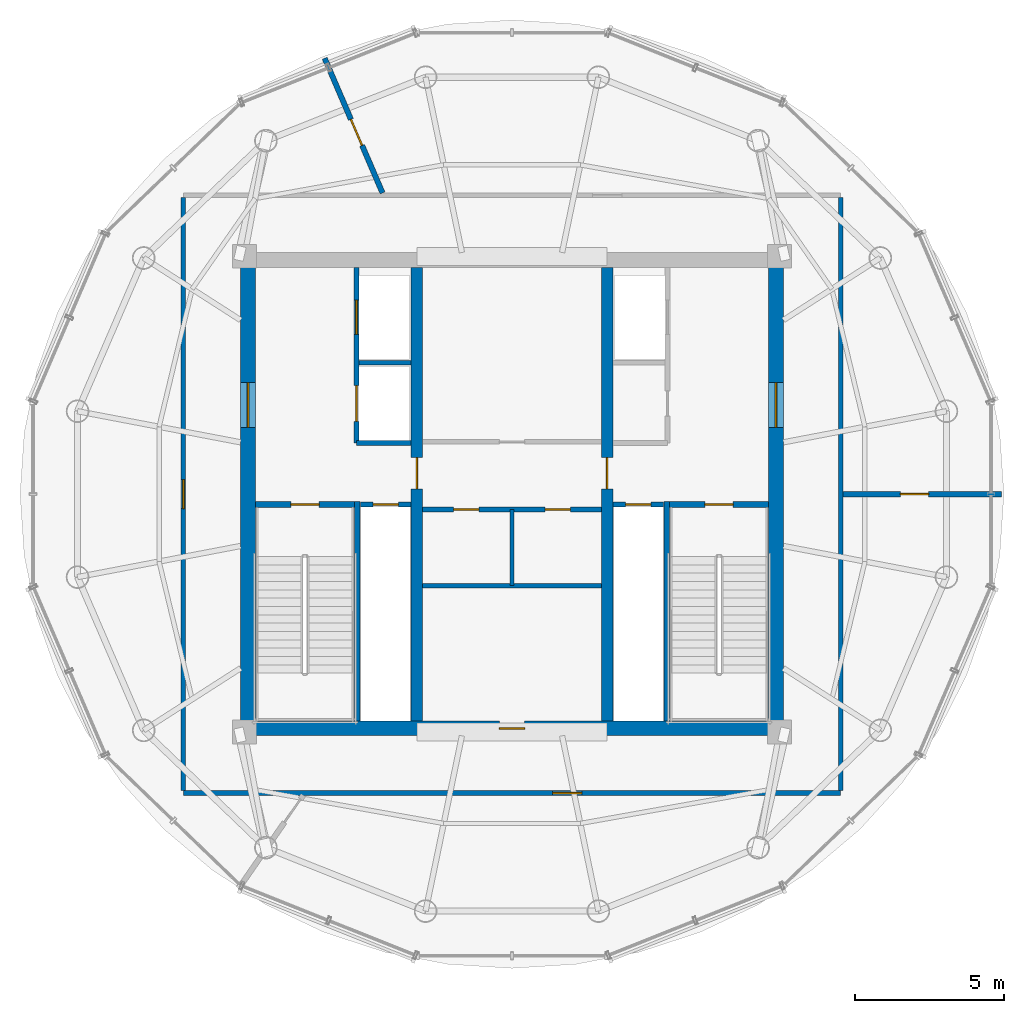
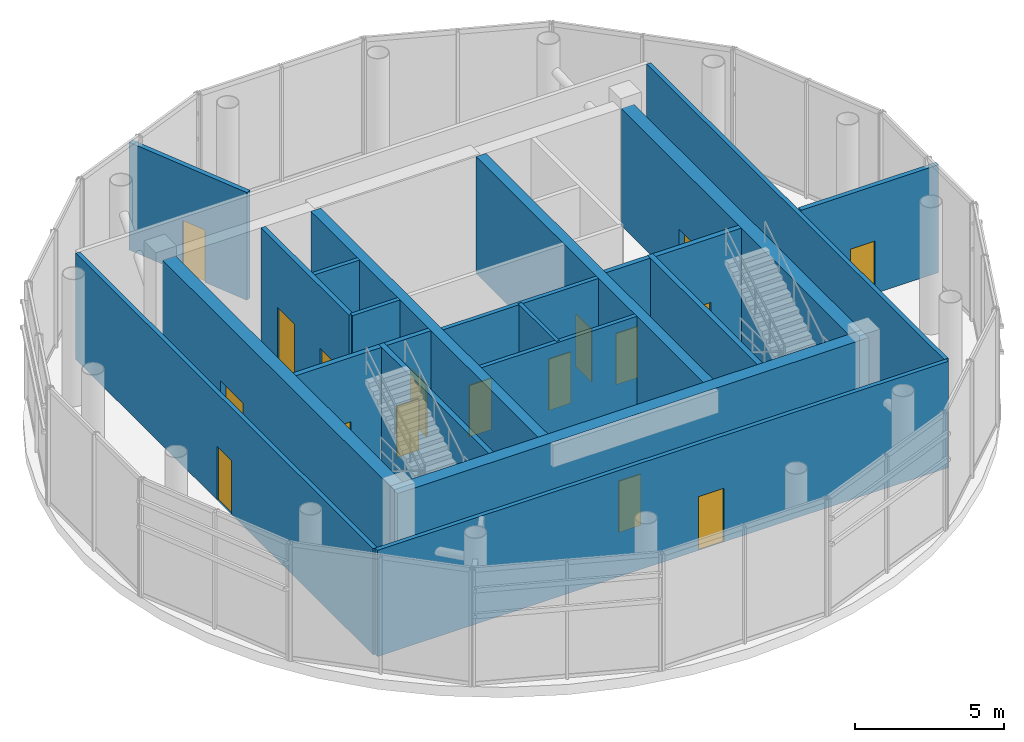
# One storey, part 11 of 14: 22 walls, 17 doors, 17 openings.
"""IFC4 building model written with IfcOpenShell, lengths in metres."""

from ifc_helpers import new_model, si_unit, direction, frame, frame_2d, origin, place, context, subcontext, project, spatial, rectangle, extrude, source, transform, mapped, material, layer, layer_set, type_object, element, fill, save


model = new_model("IFC4")

# Units and contexts
model_context = context("Model", 3, precision=1e-05, world=origin(), true_north=direction((-0.2419218956, 0.970295726276)))
body_context = subcontext(model_context, "Body", "Model", "MODEL_VIEW")
ifc_project = project(units=[si_unit("LENGTHUNIT", "METRE"), si_unit("AREAUNIT", "SQUARE_METRE"), si_unit("VOLUMEUNIT", "CUBIC_METRE"), si_unit("PLANEANGLEUNIT", "RADIAN"), si_unit("MASSUNIT", "GRAM", prefix="KILO")], contexts=[model_context])

# Site, building, storey
site_placement = place(None, origin())
site = spatial("IfcSite", under=ifc_project, at=site_placement, CompositionType="ELEMENT")
building_placement = place(site_placement, origin())
building = spatial("IfcBuilding", under=site, at=building_placement, Name="Cobrevalo Terracotta Tower", CompositionType="ELEMENT")
storey_placement = place(building_placement, frame((0.0, 0.0, 326.89990234375)))
storey = spatial("IfcBuildingStorey", under=building, at=storey_placement, Name="L84", CompositionType="ELEMENT", Elevation=326.89990234375)

# Wall, opening, door
ifc_material_1 = material(Name="Concrete C50", Category="concrete")
ifc_layer_1 = layer(ifc_material_1, 0.5)
ifc_layer_set_1 = layer_set([ifc_layer_1], Name="Concrete C50")
wall_type_1 = type_object("IfcWallType", Name="Crown core shear wall 500 mm Concrete C50", PredefinedType="SHEAR", material=ifc_layer_set_1)
wall_1_placement = place(storey_placement, frame((28.875, 18.925048828125, 0.0), z_axis=(0.0, 0.0, 1.0), x_axis=(1.0, 0.0, 0.0)))
wall_1 = element("IfcWall", 1, at=wall_1_placement, inside=storey, type_object=wall_type_1, Name="L84 south core shear wall", PredefinedType="SHEAR", context=body_context, shape_type="SweptSolid", body=[
    extrude(rectangle(XDim=18.25, YDim=0.5, at=frame_2d((9.125, 0.0))), origin(), (0.0, 0.0, 1.0), 4.780029296875),
])
opening_1_placement = place(wall_1_placement, frame((8.699951171875, 0.0, 0.0)))
opening_1 = element("IfcOpeningElement", 2, at=opening_1_placement, cuts=wall_1, Name="Opening ID-22", PredefinedType="OPENING", context=body_context, shape_type="SweptSolid", body=[
    extrude(rectangle(XDim=0.85009765625, YDim=2.10009765625, at=frame_2d((0.425048828125, 1.050048828125))), frame((0.0, 0.260009765625, 0.0), z_axis=(0.0, -1.0, 0.0), x_axis=(1.0, 0.0, 0.0)), (0.0, 0.0, 1.0), 0.52001953125),
])
ifc_material_2 = material(Name="Powder-coated steel", Category="steel")
door_type_1 = type_object("IfcDoorType", Name="Riser shaft & meter closet fire access door 850x2100 EI 60", OperationType="NOTDEFINED", PredefinedType="DOOR", material=ifc_material_2)
shared_shape_1 = source(origin(), body_context, "Body", "SweptSolid", [
    extrude(rectangle(XDim=0.85009765625, YDim=2.10009765625, at=frame_2d((0.425048828125, 1.050048828125))), frame((0.0, 0.02490234375, 0.0), z_axis=(0.0, -1.0, 0.0), x_axis=(1.0, 0.0, 0.0)), (0.0, 0.0, 1.0), 0.050048828125),
])
door_1_placement = place(opening_1_placement, origin())
door_1 = element("IfcDoor", 3, at=door_1_placement, inside=storey, type_object=door_type_1, Name="L84 core south plant door Crown Smoke Extract Fan Plant", OperationType="SINGLE_SWING_RIGHT", OverallHeight=2.10009765625, OverallWidth=0.85009765625, PredefinedType="DOOR", context=body_context, shape_type="MappedRepresentation", body=[
    mapped(shared_shape_1, transform((0.0, 0.0, 0.0), scale=1.0)),
])
fill(opening_1, door_1)

wall_2_placement = place(storey_placement, frame((29.125, 19.175048828125, 0.0), z_axis=(0.0, 0.0, 1.0), x_axis=(0.0, 1.0, 0.0)))
wall_2 = element("IfcWall", 4, at=wall_2_placement, inside=storey, type_object=wall_type_1, Name="L84 west core shear wall", PredefinedType="SHEAR", context=body_context, shape_type="SweptSolid", body=[
    extrude(rectangle(XDim=15.25, YDim=0.5, at=frame_2d((7.625, 0.0))), origin(), (0.0, 0.0, 1.0), 4.780029296875),
])
opening_2_placement = place(wall_2_placement, frame((9.875, 0.0, 0.0)))
opening_2 = element("IfcOpeningElement", 5, at=opening_2_placement, cuts=wall_2, Name="Opening ID-14", PredefinedType="OPENING", context=body_context, shape_type="SweptSolid", body=[
    extrude(rectangle(XDim=1.5, YDim=2.199951171875, at=frame_2d((0.75, 1.10009765625))), frame((0.0, 0.260009765625, 0.0), z_axis=(0.0, -1.0, 0.0), x_axis=(1.0, 0.0, 0.0)), (0.0, 0.0, 1.0), 0.52001953125),
])
ifc_material_3 = material(Name="Galvanized fire-rated steel", Category="steel")
door_type_2 = type_object("IfcDoorType", Name="Core cross-lobby double fire door 1500x2200 EI 90", OperationType="NOTDEFINED", PredefinedType="DOOR", material=ifc_material_3)
shared_shape_2 = source(origin(), body_context, "Body", "SweptSolid", [
    extrude(rectangle(XDim=1.5, YDim=2.199951171875, at=frame_2d((0.75, 1.10009765625))), frame((0.0, 0.02490234375, 0.0), z_axis=(0.0, -1.0, 0.0), x_axis=(1.0, 0.0, 0.0)), (0.0, 0.0, 1.0), 0.050048828125),
])
door_2_placement = place(opening_2_placement, origin())
door_2 = element("IfcDoor", 6, at=door_2_placement, inside=storey, type_object=door_type_2, Name="L84 west firefighting lobby entrance door", OperationType="DOUBLE_DOOR_SINGLE_SWING", OverallHeight=2.199951171875, OverallWidth=1.5, PredefinedType="DOOR", context=body_context, shape_type="MappedRepresentation", body=[
    mapped(shared_shape_2, transform((0.0, 0.0, 0.0), scale=1.0)),
])
fill(opening_2, door_2)

wall_3_placement = place(storey_placement, frame((46.875, 19.175048828125, 0.0), z_axis=(0.0, 0.0, 1.0), x_axis=(0.0, 1.0, 0.0)))
wall_3 = element("IfcWall", 7, at=wall_3_placement, inside=storey, type_object=wall_type_1, Name="L84 east core shear wall", PredefinedType="SHEAR", context=body_context, shape_type="SweptSolid", body=[
    extrude(rectangle(XDim=15.25, YDim=0.5, at=frame_2d((7.625, 0.0))), origin(), (0.0, 0.0, 1.0), 4.780029296875),
])
opening_3_placement = place(wall_3_placement, frame((9.875, 0.0, 0.0)))
opening_3 = element("IfcOpeningElement", 8, at=opening_3_placement, cuts=wall_3, Name="Opening ID-14", PredefinedType="OPENING", context=body_context, shape_type="SweptSolid", body=[
    extrude(rectangle(XDim=1.5, YDim=2.199951171875, at=frame_2d((0.75, 1.10009765625))), frame((0.0, 0.260009765625, 0.0), z_axis=(0.0, -1.0, 0.0), x_axis=(1.0, 0.0, 0.0)), (0.0, 0.0, 1.0), 0.52001953125),
])
door_3_placement = place(opening_3_placement, frame((1.5, 0.0, 0.0), z_axis=(0.0, 0.0, 1.0), x_axis=(-1.0, 0.0, 0.0)))
door_3 = element("IfcDoor", 9, at=door_3_placement, inside=storey, type_object=door_type_2, Name="L84 east firefighting lobby entrance door", OperationType="DOUBLE_DOOR_SINGLE_SWING", OverallHeight=2.199951171875, OverallWidth=1.5, PredefinedType="DOOR", context=body_context, shape_type="MappedRepresentation", body=[
    mapped(shared_shape_2, transform((0.0, 0.0, 0.0), scale=1.0)),
])
fill(opening_3, door_3)

# Walls
ifc_material_4 = material(Name="Gypsum board on steel stud", Category="steel")
ifc_layer_2 = layer(ifc_material_4, 0.159912109375)
ifc_layer_set_2 = layer_set([ifc_layer_2], Name="Gypsum board on steel stud")
wall_type_2 = type_object("IfcWallType", Name="Fire-rated corridor acoustic partition wall 160 mm", PredefinedType="PARTITIONING", material=ifc_layer_set_2)
wall_4_placement = place(storey_placement, frame((32.860107421875, 31.219970703125, 0.0), z_axis=(0.0, 0.0, 1.0), x_axis=(1.0, 0.0, 0.0)))
element("IfcWall", 10, at=wall_4_placement, inside=storey, type_object=wall_type_2, Name="L84 interior partition IW-L84-FF1-M", PredefinedType="PARTITIONING", context=body_context, shape_type="SweptSolid", body=[
    extrude(rectangle(XDim=1.75, YDim=0.159912109375, at=frame_2d((0.875, 0.0))), origin(), (0.0, 0.0, 1.0), 4.780029296875),
])
wall_5_placement = place(storey_placement, frame((32.77001953125, 28.52001953125, 0.0), z_axis=(0.0, 0.0, 1.0), x_axis=(1.0, 0.0, 0.0)))
element("IfcWall", 11, at=wall_5_placement, inside=storey, type_object=wall_type_2, Name="L84 interior partition IW-L84-FF1-S", PredefinedType="PARTITIONING", context=body_context, shape_type="SweptSolid", body=[
    extrude(rectangle(XDim=1.840087890625, YDim=0.159912109375, at=frame_2d((0.919921875, 0.0))), origin(), (0.0, 0.0, 1.0), 4.780029296875),
])

# Wall, openings, doors
wall_6_placement = place(storey_placement, frame((34.989990234375, 26.280029296875, 0.0), z_axis=(0.0, 0.0, 1.0), x_axis=(1.0, 0.0, 0.0)))
wall_6 = element("IfcWall", 12, at=wall_6_placement, inside=storey, type_object=wall_type_2, Name="L84 interior partition IW-L84-MB-N", PredefinedType="PARTITIONING", context=body_context, shape_type="SweptSolid", body=[
    extrude(rectangle(XDim=6.02001953125, YDim=0.159912109375, at=frame_2d((3.010009765625, 0.0))), origin(), (0.0, 0.0, 1.0), 4.780029296875),
])
opening_4_placement = place(wall_6_placement, frame((1.044921875, 0.0, 0.0)))
opening_4 = element("IfcOpeningElement", 13, at=opening_4_placement, cuts=wall_6, Name="Opening ID-22", PredefinedType="OPENING", context=body_context, shape_type="SweptSolid", body=[
    extrude(rectangle(XDim=0.85009765625, YDim=2.10009765625, at=frame_2d((0.425048828125, 1.050048828125))), frame((0.0, 0.08984375, 0.0), z_axis=(0.0, -1.0, 0.0), x_axis=(1.0, 0.0, 0.0)), (0.0, 0.0, 1.0), 0.179931640625),
])
opening_5_placement = place(wall_6_placement, frame((4.125, 0.0, 0.0)))
opening_5 = element("IfcOpeningElement", 14, at=opening_5_placement, cuts=wall_6, Name="Opening ID-22", PredefinedType="OPENING", context=body_context, shape_type="SweptSolid", body=[
    extrude(rectangle(XDim=0.85009765625, YDim=2.10009765625, at=frame_2d((0.425048828125, 1.050048828125))), frame((0.0, 0.08984375, 0.0), z_axis=(0.0, -1.0, 0.0), x_axis=(1.0, 0.0, 0.0)), (0.0, 0.0, 1.0), 0.179931640625),
])
door_4_placement = place(opening_4_placement, frame((0.85009765625, 0.0, 0.0), z_axis=(0.0, 0.0, 1.0), x_axis=(-1.0, 0.0, 0.0)))
door_4 = element("IfcDoor", 15, at=door_4_placement, inside=storey, type_object=door_type_1, Name="L84 core room door Crown Chilled Water Pump Plant", OperationType="SINGLE_SWING_RIGHT", OverallHeight=2.10009765625, OverallWidth=0.85009765625, PredefinedType="DOOR", context=body_context, shape_type="MappedRepresentation", body=[
    mapped(shared_shape_1, transform((0.0, 0.0, 0.0), scale=1.0)),
])
fill(opening_4, door_4)
door_5_placement = place(opening_5_placement, frame((0.85009765625, 0.0, 0.0), z_axis=(0.0, 0.0, 1.0), x_axis=(-1.0, 0.0, 0.0)))
door_5 = element("IfcDoor", 16, at=door_5_placement, inside=storey, type_object=door_type_1, Name="L84 core room door Crown Lift Motor Mechanical Plant", OperationType="SINGLE_SWING_RIGHT", OverallHeight=2.10009765625, OverallWidth=0.85009765625, PredefinedType="DOOR", context=body_context, shape_type="MappedRepresentation", body=[
    mapped(shared_shape_1, transform((0.0, 0.0, 0.0), scale=1.0)),
])
fill(opening_5, door_5)

# Wall
wall_7_placement = place(storey_placement, frame((34.989990234375, 23.719970703125, 0.0), z_axis=(0.0, 0.0, 1.0), x_axis=(1.0, 0.0, 0.0)))
element("IfcWall", 17, at=wall_7_placement, inside=storey, type_object=wall_type_2, Name="L84 interior partition IW-L84-MB-S", PredefinedType="PARTITIONING", context=body_context, shape_type="SweptSolid", body=[
    extrude(rectangle(XDim=6.02001953125, YDim=0.159912109375, at=frame_2d((3.010009765625, 0.0))), origin(), (0.0, 0.0, 1.0), 4.780029296875),
])

# Wall, opening, door
wall_8_placement = place(storey_placement, frame((26.945068359375, 16.7451171875, 0.0), z_axis=(0.0, 0.0, 1.0), x_axis=(1.0, 0.0, 0.0)))
wall_8 = element("IfcWall", 18, at=wall_8_placement, inside=storey, type_object=wall_type_2, Name="L84 interior partition IW-L84-COR-S", PredefinedType="PARTITIONING", context=body_context, shape_type="SweptSolid", body=[
    extrude(rectangle(XDim=22.10986328125, YDim=0.159912109375, at=frame_2d((11.054931640625, 0.0))), origin(), (0.0, 0.0, 1.0), 4.35205078125),
])
opening_6_placement = place(wall_8_placement, frame((12.42431640625, 0.0, 0.0)))
opening_6 = element("IfcOpeningElement", 19, at=opening_6_placement, cuts=wall_8, Name="Opening ID-05", PredefinedType="OPENING", context=body_context, shape_type="SweptSolid", body=[
    extrude(rectangle(XDim=0.97998046875, YDim=2.199951171875, at=frame_2d((0.489990234375, 1.10009765625))), frame((0.0, 0.08984375, 0.0), z_axis=(0.0, -1.0, 0.0), x_axis=(1.0, 0.0, 0.0)), (0.0, 0.0, 1.0), 0.179931640625),
])
ifc_material_5 = material(Name="Solid hardwood timber", Category="wood")
door_type_3 = type_object("IfcDoorType", Name="Residence entrance fire-rated acoustic timber door 980x2200 EI 60", OperationType="NOTDEFINED", PredefinedType="DOOR", material=ifc_material_5)
shared_shape_3 = source(origin(), body_context, "Body", "SweptSolid", [
    extrude(rectangle(XDim=0.97998046875, YDim=2.199951171875, at=frame_2d((0.489990234375, 1.10009765625))), frame((0.0, 0.02490234375, 0.0), z_axis=(0.0, -1.0, 0.0), x_axis=(1.0, 0.0, 0.0)), (0.0, 0.0, 1.0), 0.050048828125),
])
door_6_placement = place(opening_6_placement, origin())
door_6 = element("IfcDoor", 20, at=door_6_placement, inside=storey, type_object=door_type_3, Name="L84 Crown Lift Overrun Plant door", OperationType="SINGLE_SWING_LEFT", OverallHeight=2.199951171875, OverallWidth=0.97998046875, PredefinedType="DOOR", context=body_context, shape_type="MappedRepresentation", body=[
    mapped(shared_shape_3, transform((0.0, 0.0, 0.0), scale=1.0)),
])
fill(opening_6, door_6)

wall_9_placement = place(storey_placement, frame((26.945068359375, 16.824951171875, 0.0), z_axis=(0.0, 0.0, 1.0), x_axis=(0.0, 1.0, 0.0)))
wall_9 = element("IfcWall", 21, at=wall_9_placement, inside=storey, type_object=wall_type_2, Name="L84 interior partition IW-L84-COR-W", PredefinedType="PARTITIONING", context=body_context, shape_type="SweptSolid", body=[
    extrude(rectangle(XDim=19.949951171875, YDim=0.159912109375, at=frame_2d((9.97509765625, 0.0))), origin(), (0.0, 0.0, 1.0), 4.35205078125),
])
opening_7_placement = place(wall_9_placement, frame((9.485107421875, 0.0, 0.0)))
opening_7 = element("IfcOpeningElement", 22, at=opening_7_placement, cuts=wall_9, Name="Opening ID-05", PredefinedType="OPENING", context=body_context, shape_type="SweptSolid", body=[
    extrude(rectangle(XDim=0.97998046875, YDim=2.199951171875, at=frame_2d((0.489990234375, 1.10009765625))), frame((0.0, 0.08984375, 0.0), z_axis=(0.0, -1.0, 0.0), x_axis=(1.0, 0.0, 0.0)), (0.0, 0.0, 1.0), 0.179931640625),
])
door_7_placement = place(opening_7_placement, origin())
door_7 = element("IfcDoor", 23, at=door_7_placement, inside=storey, type_object=door_type_3, Name="L84 Crown Boiler and Pump Plant door", OperationType="SINGLE_SWING_RIGHT", OverallHeight=2.199951171875, OverallWidth=0.97998046875, PredefinedType="DOOR", context=body_context, shape_type="MappedRepresentation", body=[
    mapped(shared_shape_3, transform((0.0, 0.0, 0.0), scale=1.0)),
])
fill(opening_7, door_7)

# Wall
wall_10_placement = place(storey_placement, frame((49.054931640625, 16.824951171875, 0.0), z_axis=(0.0, 0.0, 1.0), x_axis=(0.0, 1.0, 0.0)))
element("IfcWall", 24, at=wall_10_placement, inside=storey, type_object=wall_type_2, Name="L84 interior partition IW-L84-COR-E", PredefinedType="PARTITIONING", context=body_context, shape_type="SweptSolid", body=[
    extrude(rectangle(XDim=19.949951171875, YDim=0.159912109375, at=frame_2d((9.97509765625, 0.0))), origin(), (0.0, 0.0, 1.0), 4.35205078125),
])

# Wall, opening, door
ifc_layer_3 = layer(ifc_material_4, 0.179931640625)
ifc_layer_set_3 = layer_set([ifc_layer_3], Name="Gypsum board on steel stud")
wall_type_3 = type_object("IfcWallType", Name="Fire-rated shaft & lobby acoustic partition wall 180 mm", PredefinedType="PARTITIONING", material=ifc_layer_set_3)
wall_11_placement = place(storey_placement, frame((32.89990234375, 26.449951171875, 0.0), z_axis=(0.0, 0.0, 1.0), x_axis=(1.0, 0.0, 0.0)))
wall_11 = element("IfcWall", 25, at=wall_11_placement, inside=storey, type_object=wall_type_3, Name="L84 interior partition IW-L84-RSW-N", PredefinedType="PARTITIONING", context=body_context, shape_type="SweptSolid", body=[
    extrude(rectangle(XDim=1.710205078125, YDim=0.179931640625, at=frame_2d((0.85498046875, 0.0))), origin(), (0.0, 0.0, 1.0), 4.780029296875),
])
opening_8_placement = place(wall_11_placement, frame((0.429931640625, 0.0, 0.0)))
opening_8 = element("IfcOpeningElement", 26, at=opening_8_placement, cuts=wall_11, Name="Opening ID-22", PredefinedType="OPENING", context=body_context, shape_type="SweptSolid", body=[
    extrude(rectangle(XDim=0.85009765625, YDim=2.10009765625, at=frame_2d((0.425048828125, 1.050048828125))), frame((0.0, 0.10009765625, 0.0), z_axis=(0.0, -1.0, 0.0), x_axis=(1.0, 0.0, 0.0)), (0.0, 0.0, 1.0), 0.199951171875),
])
door_8_placement = place(opening_8_placement, origin())
door_8 = element("IfcDoor", 27, at=door_8_placement, inside=storey, type_object=door_type_1, Name="L84 riser access door RSW", OperationType="SINGLE_SWING_LEFT", OverallHeight=2.10009765625, OverallWidth=0.85009765625, PredefinedType="DOOR", context=body_context, shape_type="MappedRepresentation", body=[
    mapped(shared_shape_1, transform((0.0, 0.0, 0.0), scale=1.0)),
])
fill(opening_8, door_8)

wall_12_placement = place(storey_placement, frame((41.389892578125, 26.449951171875, 0.0), z_axis=(0.0, 0.0, 1.0), x_axis=(1.0, 0.0, 0.0)))
wall_12 = element("IfcWall", 28, at=wall_12_placement, inside=storey, type_object=wall_type_3, Name="L84 interior partition IW-L84-RSE-N", PredefinedType="PARTITIONING", context=body_context, shape_type="SweptSolid", body=[
    extrude(rectangle(XDim=1.710205078125, YDim=0.179931640625, at=frame_2d((0.85498046875, 0.0))), origin(), (0.0, 0.0, 1.0), 4.780029296875),
])
opening_9_placement = place(wall_12_placement, frame((0.429931640625, 0.0, 0.0)))
opening_9 = element("IfcOpeningElement", 29, at=opening_9_placement, cuts=wall_12, Name="Opening ID-22", PredefinedType="OPENING", context=body_context, shape_type="SweptSolid", body=[
    extrude(rectangle(XDim=0.85009765625, YDim=2.10009765625, at=frame_2d((0.425048828125, 1.050048828125))), frame((0.0, 0.10009765625, 0.0), z_axis=(0.0, -1.0, 0.0), x_axis=(1.0, 0.0, 0.0)), (0.0, 0.0, 1.0), 0.199951171875),
])
door_9_placement = place(opening_9_placement, origin())
door_9 = element("IfcDoor", 30, at=door_9_placement, inside=storey, type_object=door_type_1, Name="L84 riser access door RSE", OperationType="SINGLE_SWING_RIGHT", OverallHeight=2.10009765625, OverallWidth=0.85009765625, PredefinedType="DOOR", context=body_context, shape_type="MappedRepresentation", body=[
    mapped(shared_shape_1, transform((0.0, 0.0, 0.0), scale=1.0)),
])
fill(opening_9, door_9)

# Wall, openings, doors
wall_13_placement = place(storey_placement, frame((32.77001953125, 28.52001953125, 0.0), z_axis=(0.0, 0.0, 1.0), x_axis=(0.0, 1.0, 0.0)))
wall_13 = element("IfcWall", 31, at=wall_13_placement, inside=storey, type_object=wall_type_3, Name="L84 interior partition IW-L84-FF1-W", PredefinedType="PARTITIONING", context=body_context, shape_type="SweptSolid", body=[
    extrude(rectangle(XDim=5.905029296875, YDim=0.179931640625, at=frame_2d((2.95263671875, 0.0))), origin(), (0.0, 0.0, 1.0), 4.780029296875),
])
opening_10_placement = place(wall_13_placement, frame((3.655029296875, 0.0, 0.0)))
opening_10 = element("IfcOpeningElement", 32, at=opening_10_placement, cuts=wall_13, Name="Opening LD-02", PredefinedType="OPENING", context=body_context, shape_type="SweptSolid", body=[
    extrude(rectangle(XDim=1.14990234375, YDim=2.199951171875, at=frame_2d((0.574951171875, 1.10009765625))), frame((0.0, 0.10009765625, 0.0), z_axis=(0.0, -1.0, 0.0), x_axis=(1.0, 0.0, 0.0)), (0.0, 0.0, 1.0), 0.199951171875),
])
opening_11_placement = place(wall_13_placement, frame((0.72998046875, 0.0, 0.0)))
opening_11 = element("IfcOpeningElement", 33, at=opening_11_placement, cuts=wall_13, Name="Opening LD-03", PredefinedType="OPENING", context=body_context, shape_type="SweptSolid", body=[
    extrude(rectangle(XDim=1.199951171875, YDim=2.25, at=frame_2d((0.60009765625, 1.125))), frame((0.0, 0.10009765625, 0.0), z_axis=(0.0, -1.0, 0.0), x_axis=(1.0, 0.0, 0.0)), (0.0, 0.0, 1.0), 0.199951171875),
])
ifc_material_6 = material(Name="Brushed stainless steel", Category="steel")
door_type_4 = type_object("IfcDoorType", Name="Firefighting lift landing bi-parting sliding door 1150x2200 EI 120", OperationType="DOUBLE_DOOR_SLIDING", PredefinedType="DOOR", material=ifc_material_6)
shared_shape_4 = source(origin(), body_context, "Body", "SweptSolid", [
    extrude(rectangle(XDim=1.14990234375, YDim=2.199951171875, at=frame_2d((0.574951171875, 1.10009765625))), frame((0.0, 0.02490234375, 0.0), z_axis=(0.0, -1.0, 0.0), x_axis=(1.0, 0.0, 0.0)), (0.0, 0.0, 1.0), 0.050048828125),
])
door_10_placement = place(opening_10_placement, origin())
door_10 = element("IfcDoor", 34, at=door_10_placement, inside=storey, type_object=door_type_4, Name="L84 lift landing door FF-1", OperationType="DOUBLE_DOOR_SLIDING", OverallHeight=2.199951171875, OverallWidth=1.14990234375, PredefinedType="DOOR", context=body_context, shape_type="MappedRepresentation", body=[
    mapped(shared_shape_4, transform((0.0, 0.0, 0.0), scale=1.0)),
])
fill(opening_10, door_10)
door_type_5 = type_object("IfcDoorType", Name="Service lift landing bi-parting sliding door 1200x2250 EI 120", OperationType="DOUBLE_DOOR_SLIDING", PredefinedType="DOOR", material=ifc_material_6)
shared_shape_5 = source(origin(), body_context, "Body", "SweptSolid", [
    extrude(rectangle(XDim=1.199951171875, YDim=2.25, at=frame_2d((0.60009765625, 1.125))), frame((0.0, 0.02490234375, 0.0), z_axis=(0.0, -1.0, 0.0), x_axis=(1.0, 0.0, 0.0)), (0.0, 0.0, 1.0), 0.050048828125),
])
door_11_placement = place(opening_11_placement, origin())
door_11 = element("IfcDoor", 35, at=door_11_placement, inside=storey, type_object=door_type_5, Name="L84 lift landing door SV-1", OperationType="DOUBLE_DOOR_SLIDING", OverallHeight=2.25, OverallWidth=1.199951171875, PredefinedType="DOOR", context=body_context, shape_type="MappedRepresentation", body=[
    mapped(shared_shape_5, transform((0.0, 0.0, 0.0), scale=1.0)),
])
fill(opening_11, door_11)

# Wall, opening, door
wall_14_placement = place(storey_placement, frame((49.136962890625, 26.800048828125, 0.0), z_axis=(0.0, 0.0, 1.0), x_axis=(1.0, 0.0, 0.0)))
wall_14 = element("IfcWall", 36, at=wall_14_placement, inside=storey, type_object=wall_type_3, Name="L84 interior partition IW-L84-CW1", PredefinedType="PARTITIONING", context=body_context, shape_type="SweptSolid", body=[
    extrude(rectangle(XDim=5.3330078125, YDim=0.179931640625, at=frame_2d((2.66650390625, 0.0))), origin(), (0.0, 0.0, 1.0), 4.4111328125),
])
opening_12_placement = place(wall_14_placement, frame((1.9248046875, 0.0, 0.0)))
opening_12 = element("IfcOpeningElement", 37, at=opening_12_placement, cuts=wall_14, Name="Opening ID-04", PredefinedType="OPENING", context=body_context, shape_type="SweptSolid", body=[
    extrude(rectangle(XDim=0.949951171875, YDim=2.14990234375, at=frame_2d((0.47509765625, 1.074951171875))), frame((0.0, 0.10009765625, 0.0), z_axis=(0.0, -1.0, 0.0), x_axis=(1.0, 0.0, 0.0)), (0.0, 0.0, 1.0), 0.199951171875),
])
door_type_6 = type_object("IfcDoorType", Name="Stair & firefighting lobby fire door 950x2150 EI 90", OperationType="NOTDEFINED", PredefinedType="DOOR", material=ifc_material_3)
shared_shape_6 = source(origin(), body_context, "Body", "SweptSolid", [
    extrude(rectangle(XDim=0.949951171875, YDim=2.14990234375, at=frame_2d((0.47509765625, 1.074951171875))), frame((0.0, 0.02490234375, 0.0), z_axis=(0.0, -1.0, 0.0), x_axis=(1.0, 0.0, 0.0)), (0.0, 0.0, 1.0), 0.050048828125),
])
door_12_placement = place(opening_12_placement, origin())
door_12 = element("IfcDoor", 38, at=door_12_placement, inside=storey, type_object=door_type_6, Name="L84 crown plant interconnecting fire door 1", OperationType="SINGLE_SWING_LEFT", OverallHeight=2.14990234375, OverallWidth=0.949951171875, PredefinedType="DOOR", context=body_context, shape_type="MappedRepresentation", body=[
    mapped(shared_shape_6, transform((0.0, 0.0, 0.0), scale=1.0)),
])
fill(opening_12, door_12)

wall_15_placement = place(storey_placement, frame((33.645263671875, 36.931884765625, 0.0), z_axis=(0.0, 0.0, 1.0), x_axis=(-0.394839297391, 0.918750199584, 0.0)))
wall_15 = element("IfcWall", 39, at=wall_15_placement, inside=storey, type_object=wall_type_3, Name="L84 interior partition IW-L84-CW2", PredefinedType="PARTITIONING", context=body_context, shape_type="SweptSolid", body=[
    extrude(rectangle(XDim=4.93115234375, YDim=0.179931640625, at=frame_2d((2.465576171875, 0.0))), origin(), (0.0, 0.0, 1.0), 4.4111328125),
])
opening_13_placement = place(wall_15_placement, frame((1.743896484375, 0.0, 0.0)))
opening_13 = element("IfcOpeningElement", 40, at=opening_13_placement, cuts=wall_15, Name="Opening ID-04", PredefinedType="OPENING", context=body_context, shape_type="SweptSolid", body=[
    extrude(rectangle(XDim=0.949951171875, YDim=2.14990234375, at=frame_2d((0.47509765625, 1.074951171875))), frame((0.0, 0.10009765625, 0.0), z_axis=(0.0, -1.0, 0.0), x_axis=(1.0, 0.0, 0.0)), (0.0, 0.0, 1.0), 0.199951171875),
])
door_13_placement = place(opening_13_placement, origin())
door_13 = element("IfcDoor", 41, at=door_13_placement, inside=storey, type_object=door_type_6, Name="L84 crown plant interconnecting fire door 2", OperationType="SINGLE_SWING_LEFT", OverallHeight=2.14990234375, OverallWidth=0.949951171875, PredefinedType="DOOR", context=body_context, shape_type="MappedRepresentation", body=[
    mapped(shared_shape_6, transform((0.0, 0.0, 0.0), scale=1.0)),
])
fill(opening_13, door_13)

ifc_layer_4 = layer(ifc_material_1, 0.3798828125)
ifc_layer_set_4 = layer_set([ifc_layer_4], Name="Concrete C50")
wall_type_4 = type_object("IfcWallType", Name="Internal core shear web wall 380 mm Concrete C50", PredefinedType="SHEAR", material=ifc_layer_set_4)
wall_16_placement = place(storey_placement, frame((34.800048828125, 19.175048828125, 0.0), z_axis=(0.0, 0.0, 1.0), x_axis=(0.0, 1.0, 0.0)))
wall_16 = element("IfcWall", 42, at=wall_16_placement, inside=storey, type_object=wall_type_4, Name="L84 internal core shear wall WEB-W", PredefinedType="SHEAR", context=body_context, shape_type="SweptSolid", body=[
    extrude(rectangle(XDim=15.25, YDim=0.3798828125, at=frame_2d((7.625, 0.0))), origin(), (0.0, 0.0, 1.0), 4.780029296875),
])
opening_14_placement = place(wall_16_placement, frame((7.800048828125, 0.0, 0.0)))
opening_14 = element("IfcOpeningElement", 43, at=opening_14_placement, cuts=wall_16, Name="Opening ID-11", PredefinedType="OPENING", context=body_context, shape_type="SweptSolid", body=[
    extrude(rectangle(XDim=1.050048828125, YDim=2.14990234375, at=frame_2d((0.52490234375, 1.074951171875))), frame((0.0, 0.199951171875, 0.0), z_axis=(0.0, -1.0, 0.0), x_axis=(1.0, 0.0, 0.0)), (0.0, 0.0, 1.0), 0.39990234375),
])
door_type_7 = type_object("IfcDoorType", Name="Core concourse cross fire door 1050x2150 EI 90", OperationType="NOTDEFINED", PredefinedType="DOOR", material=ifc_material_3)
shared_shape_7 = source(origin(), body_context, "Body", "SweptSolid", [
    extrude(rectangle(XDim=1.050048828125, YDim=2.14990234375, at=frame_2d((0.52490234375, 1.074951171875))), frame((0.0, 0.02490234375, 0.0), z_axis=(0.0, -1.0, 0.0), x_axis=(1.0, 0.0, 0.0)), (0.0, 0.0, 1.0), 0.050048828125),
])
door_14_placement = place(opening_14_placement, origin())
door_14 = element("IfcDoor", 44, at=door_14_placement, inside=storey, type_object=door_type_7, Name="L84 west core concourse cross door", OperationType="SINGLE_SWING_LEFT", OverallHeight=2.14990234375, OverallWidth=1.050048828125, PredefinedType="DOOR", context=body_context, shape_type="MappedRepresentation", body=[
    mapped(shared_shape_7, transform((0.0, 0.0, 0.0), scale=1.0)),
])
fill(opening_14, door_14)

wall_17_placement = place(storey_placement, frame((41.199951171875, 19.175048828125, 0.0), z_axis=(0.0, 0.0, 1.0), x_axis=(0.0, 1.0, 0.0)))
wall_17 = element("IfcWall", 45, at=wall_17_placement, inside=storey, type_object=wall_type_4, Name="L84 internal core shear wall WEB-E", PredefinedType="SHEAR", context=body_context, shape_type="SweptSolid", body=[
    extrude(rectangle(XDim=15.25, YDim=0.3798828125, at=frame_2d((7.625, 0.0))), origin(), (0.0, 0.0, 1.0), 4.780029296875),
])
opening_15_placement = place(wall_17_placement, frame((7.800048828125, 0.0, 0.0)))
opening_15 = element("IfcOpeningElement", 46, at=opening_15_placement, cuts=wall_17, Name="Opening ID-11", PredefinedType="OPENING", context=body_context, shape_type="SweptSolid", body=[
    extrude(rectangle(XDim=1.050048828125, YDim=2.14990234375, at=frame_2d((0.52490234375, 1.074951171875))), frame((0.0, 0.199951171875, 0.0), z_axis=(0.0, -1.0, 0.0), x_axis=(1.0, 0.0, 0.0)), (0.0, 0.0, 1.0), 0.39990234375),
])
door_15_placement = place(opening_15_placement, frame((1.050048828125, 0.0, 0.0), z_axis=(0.0, 0.0, 1.0), x_axis=(-1.0, 0.0, 0.0)))
door_15 = element("IfcDoor", 47, at=door_15_placement, inside=storey, type_object=door_type_7, Name="L84 east core concourse cross door", OperationType="SINGLE_SWING_RIGHT", OverallHeight=2.14990234375, OverallWidth=1.050048828125, PredefinedType="DOOR", context=body_context, shape_type="MappedRepresentation", body=[
    mapped(shared_shape_7, transform((0.0, 0.0, 0.0), scale=1.0)),
])
fill(opening_15, door_15)

# Walls
ifc_material_7 = material(Name="Autoclaved aerated concrete block", Category="concrete")
ifc_layer_5 = layer(ifc_material_7, 0.139892578125)
ifc_layer_set_5 = layer_set([ifc_layer_5], Name="Autoclaved aerated concrete block")
wall_type_5 = type_object("IfcWallType", Name="Moisture-resistant wet-room & core service partition 140 mm", PredefinedType="PARTITIONING", material=ifc_layer_set_5)
wall_18_placement = place(storey_placement, frame((38.0, 23.719970703125, 0.0), z_axis=(0.0, 0.0, 1.0), x_axis=(0.0, 1.0, 0.0)))
element("IfcWall", 48, at=wall_18_placement, inside=storey, type_object=wall_type_5, Name="L84 interior partition IW-L84-MB-D2", PredefinedType="PARTITIONING", context=body_context, shape_type="SweptSolid", body=[
    extrude(rectangle(XDim=2.56005859375, YDim=0.139892578125, at=frame_2d((1.280029296875, 0.0))), origin(), (0.0, 0.0, 1.0), 4.780029296875),
])
ifc_layer_6 = layer(ifc_material_1, 0.199951171875)
ifc_layer_set_6 = layer_set([ifc_layer_6], Name="Concrete C50")
wall_type_6 = type_object("IfcWallType", Name="Structural core & podium stair-shaft RC wall 200 mm Concrete C50", PredefinedType="SOLIDWALL", material=ifc_layer_set_6)
wall_19_placement = place(storey_placement, frame((32.794921875, 19.175048828125, 0.0), z_axis=(0.0, 0.0, 1.0), x_axis=(0.0, 1.0, 0.0)))
element("IfcWall", 49, at=wall_19_placement, inside=storey, type_object=wall_type_6, Name="L84 ST-1 east structural shaft wall", PredefinedType="SOLIDWALL", context=body_context, shape_type="SweptSolid", body=[
    extrude(rectangle(XDim=7.375, YDim=0.199951171875, at=frame_2d((3.6875, 0.0))), origin(), (0.0, 0.0, 1.0), 4.780029296875),
])

# Wall, opening, door
wall_20_placement = place(storey_placement, frame((29.375, 26.449951171875, 0.0), z_axis=(0.0, 0.0, 1.0), x_axis=(1.0, 0.0, 0.0)))
wall_20 = element("IfcWall", 50, at=wall_20_placement, inside=storey, type_object=wall_type_6, Name="L84 ST-1 north structural shaft wall", PredefinedType="SOLIDWALL", context=body_context, shape_type="SweptSolid", body=[
    extrude(rectangle(XDim=3.320068359375, YDim=0.199951171875, at=frame_2d((1.66015625, 0.0))), origin(), (0.0, 0.0, 1.0), 4.780029296875),
])
opening_16_placement = place(wall_20_placement, frame((1.18505859375, 0.0, 0.0)))
opening_16 = element("IfcOpeningElement", 51, at=opening_16_placement, cuts=wall_20, Name="Opening ID-04", PredefinedType="OPENING", context=body_context, shape_type="SweptSolid", body=[
    extrude(rectangle(XDim=0.949951171875, YDim=2.14990234375, at=frame_2d((0.47509765625, 1.074951171875))), frame((0.0, 0.10986328125, 0.0), z_axis=(0.0, -1.0, 0.0), x_axis=(1.0, 0.0, 0.0)), (0.0, 0.0, 1.0), 0.219970703125),
])
door_16_placement = place(opening_16_placement, origin())
door_16 = element("IfcDoor", 52, at=door_16_placement, inside=storey, type_object=door_type_6, Name="L84 protected stair ST1 fire door", OperationType="SINGLE_SWING_LEFT", OverallHeight=2.14990234375, OverallWidth=0.949951171875, PredefinedType="DOOR", context=body_context, shape_type="MappedRepresentation", body=[
    mapped(shared_shape_6, transform((0.0, 0.0, 0.0), scale=1.0)),
])
fill(opening_16, door_16)

# Wall
wall_21_placement = place(storey_placement, frame((43.205078125, 19.175048828125, 0.0), z_axis=(0.0, 0.0, 1.0), x_axis=(0.0, 1.0, 0.0)))
element("IfcWall", 53, at=wall_21_placement, inside=storey, type_object=wall_type_6, Name="L84 ST-2 west structural shaft wall", PredefinedType="SOLIDWALL", context=body_context, shape_type="SweptSolid", body=[
    extrude(rectangle(XDim=7.375, YDim=0.199951171875, at=frame_2d((3.6875, 0.0))), origin(), (0.0, 0.0, 1.0), 4.780029296875),
])

# Wall, opening, door
wall_22_placement = place(storey_placement, frame((43.304931640625, 26.449951171875, 0.0), z_axis=(0.0, 0.0, 1.0), x_axis=(1.0, 0.0, 0.0)))
wall_22 = element("IfcWall", 54, at=wall_22_placement, inside=storey, type_object=wall_type_6, Name="L84 ST-2 north structural shaft wall", PredefinedType="SOLIDWALL", context=body_context, shape_type="SweptSolid", body=[
    extrude(rectangle(XDim=3.320068359375, YDim=0.199951171875, at=frame_2d((1.66015625, 0.0))), origin(), (0.0, 0.0, 1.0), 4.780029296875),
])
opening_17_placement = place(wall_22_placement, frame((1.18505859375, 0.0, 0.0)))
opening_17 = element("IfcOpeningElement", 55, at=opening_17_placement, cuts=wall_22, Name="Opening ID-04", PredefinedType="OPENING", context=body_context, shape_type="SweptSolid", body=[
    extrude(rectangle(XDim=0.949951171875, YDim=2.14990234375, at=frame_2d((0.47509765625, 1.074951171875))), frame((0.0, 0.10986328125, 0.0), z_axis=(0.0, -1.0, 0.0), x_axis=(1.0, 0.0, 0.0)), (0.0, 0.0, 1.0), 0.219970703125),
])
door_17_placement = place(opening_17_placement, frame((0.949951171875, 0.0, 0.0), z_axis=(0.0, 0.0, 1.0), x_axis=(-1.0, 0.0, 0.0)))
door_17 = element("IfcDoor", 56, at=door_17_placement, inside=storey, type_object=door_type_6, Name="L84 protected stair ST2 fire door", OperationType="SINGLE_SWING_RIGHT", OverallHeight=2.14990234375, OverallWidth=0.949951171875, PredefinedType="DOOR", context=body_context, shape_type="MappedRepresentation", body=[
    mapped(shared_shape_6, transform((0.0, 0.0, 0.0), scale=1.0)),
])
fill(opening_17, door_17)

save(model, "model.ifc")
